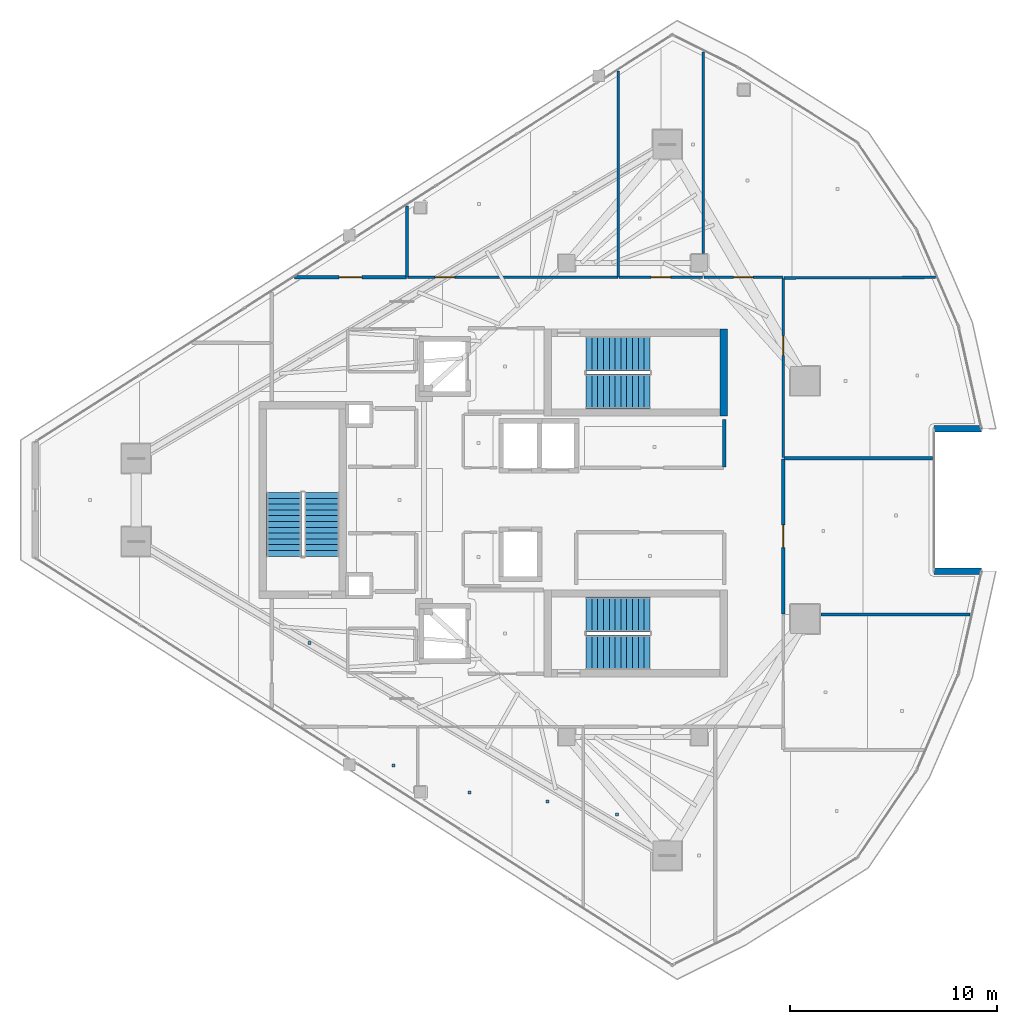
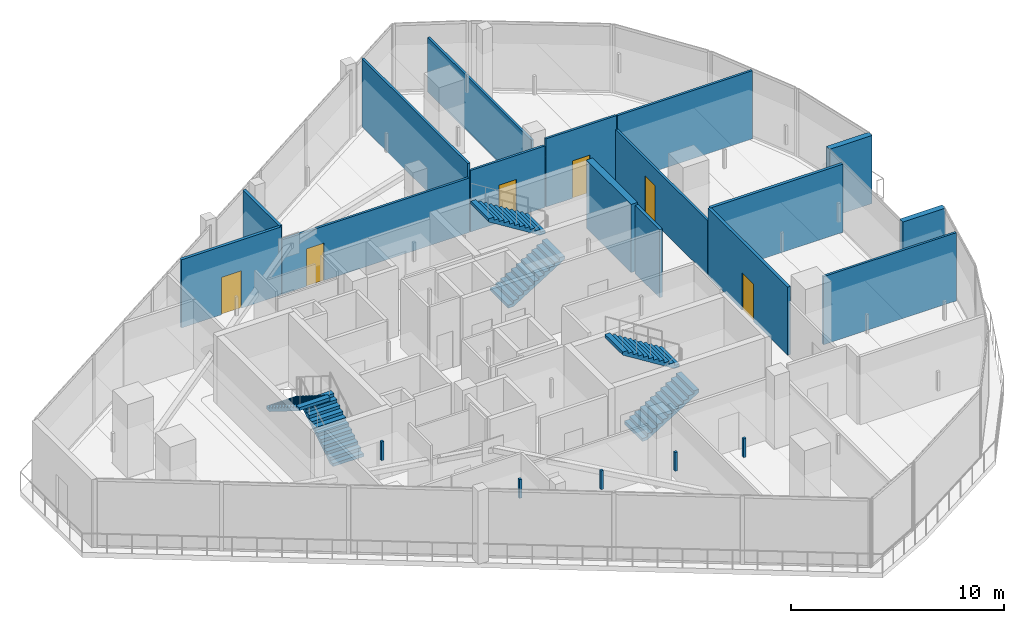
# One storey, part 23 of 30: 16 walls, 6 doors, 6 stair flights, 5 discrete accessories, 6 openings, 3 elements without a shape of their own.
"""IFC4 building model written with IfcOpenShell, lengths in metres."""

from ifc_helpers import new_model, si_unit, direction, frame, frame_2d, origin, origin_2d, place, context, subcontext, project, spatial, polyline, rectangle, outline, extrude, material, layer, layer_set, type_object, element, fill, aggregate, save


model = new_model("IFC4")

# Units and contexts
model_context = context("Model", 3, precision=1e-05, world=origin(), true_north=direction((0.0, 1.0)))
body_context = subcontext(model_context, "Body", "Model", "MODEL_VIEW")
ifc_project = project(units=[si_unit("LENGTHUNIT", "METRE"), si_unit("AREAUNIT", "SQUARE_METRE"), si_unit("VOLUMEUNIT", "CUBIC_METRE"), si_unit("PLANEANGLEUNIT", "RADIAN"), si_unit("MASSUNIT", "GRAM", prefix="KILO")], contexts=[model_context])

# Site, building, storey
site_placement = place(None, origin())
site = spatial("IfcSite", under=ifc_project, at=site_placement, CompositionType="ELEMENT")
building_placement = place(site_placement, origin())
building = spatial("IfcBuilding", under=site, at=building_placement, Name="Qorvath Tower", CompositionType="ELEMENT")
storey_placement = place(building_placement, frame((0.0, 0.0, 301.800048828125)))
storey = spatial("IfcBuildingStorey", under=building, at=storey_placement, Name="L70", CompositionType="ELEMENT", Elevation=301.800048828125)

# Wall
ifc_material_1 = material(Name="Double acoustic gypsum board on steel studs", Category="steel")
ifc_layer_1 = layer(ifc_material_1, 0.159912109375)
ifc_layer_set_1 = layer_set([ifc_layer_1], Name="IW-ACOUSTIC-160")
wall_type_1 = type_object("IfcWallType", Name="IW-ACOUSTIC-160", PredefinedType="PARTITIONING", material=ifc_layer_set_1)
wall_1_placement = place(storey_placement, frame((-16.0, 1.585205078125, 0.0), z_axis=(0.0, 0.0, 1.0), x_axis=(0.0, 1.0, 0.0)))
element("IfcWall", 1, at=wall_1_placement, inside=storey, type_object=wall_type_1, Name="Interior Partition IW-T1-L70-014", PredefinedType="PARTITIONING", context=body_context, shape_type="SweptSolid", body=[
    extrude(rectangle(XDim=2.30224609375, YDim=0.159912109375, at=frame_2d((1.151123046875, 0.0))), origin(), (0.0, 0.0, 1.0), 3.909912109375),
])

# Wall, opening, door
wall_2_placement = place(storey_placement, frame((-31.349609375, 10.758056640625, 0.0), z_axis=(0.0, 0.0, 1.0), x_axis=(-1.0, 0.0, 0.0)))
wall_2 = element("IfcWall", 2, at=wall_2_placement, inside=storey, type_object=wall_type_1, Name="Interior Partition IW-T1-L70-031", PredefinedType="PARTITIONING", context=body_context, shape_type="SweptSolid", body=[
    extrude(rectangle(XDim=5.41015625, YDim=0.159912109375, at=frame_2d((2.705078125, 0.0))), origin(), (0.0, 0.0, 1.0), 3.909912109375),
])
opening_1_placement = place(wall_2_placement, frame((2.155029296875, 0.0, 0.0)))
opening_1 = element("IfcOpeningElement", 3, at=opening_1_placement, cuts=wall_2, Name="Opening D-T1-L70-07", PredefinedType="OPENING", context=body_context, shape_type="SweptSolid", body=[
    extrude(rectangle(XDim=1.10009765625, YDim=2.14990234375, at=frame_2d((0.550048828125, 1.074951171875))), frame((0.0, 0.08984375, 0.0), z_axis=(0.0, -1.0, 0.0), x_axis=(1.0, 0.0, 0.0)), (0.0, 0.0, 1.0), 0.179931640625),
])
ifc_material_2 = material(Name="Anodised aluminium acoustic framed glass", Category="aluminium")
door_type_1 = type_object("IfcDoorType", Name="D-03", OperationType="NOTDEFINED", PredefinedType="DOOR", material=ifc_material_2)
door_1_placement = place(opening_1_placement, origin())
door_1 = element("IfcDoor", 4, at=door_1_placement, inside=storey, type_object=door_type_1, Name="L70-01 Enclosed Conference Suite Door D-T1-L70-07", OperationType="SINGLE_SWING_RIGHT", OverallHeight=2.14990234375, OverallWidth=1.10009765625, PredefinedType="DOOR", context=body_context, shape_type="SweptSolid", body=[
    extrude(rectangle(XDim=1.10009765625, YDim=2.14990234375, at=frame_2d((0.550048828125, 1.074951171875))), frame((0.0, 0.02490234375, 0.0), z_axis=(0.0, -1.0, 0.0), x_axis=(1.0, 0.0, 0.0)), (0.0, 0.0, 1.0), 0.050048828125),
])
fill(opening_1, door_1)

# Walls
wall_3_placement = place(storey_placement, frame((-31.324462890625, 10.783203125, 0.0), z_axis=(0.0, 0.0, 1.0), x_axis=(0.0, 1.0, 0.0)))
element("IfcWall", 5, at=wall_3_placement, inside=storey, type_object=wall_type_1, Name="Interior Partition IW-T1-L70-032", PredefinedType="PARTITIONING", context=body_context, shape_type="SweptSolid", body=[
    extrude(rectangle(XDim=3.419921875, YDim=0.159912109375, at=frame_2d((1.7099609375, 0.0))), origin(), (0.0, 0.0, 1.0), 3.909912109375),
])
wall_4_placement = place(storey_placement, frame((-5.940673828125, 2.010986328125, 0.0), z_axis=(0.0, 0.0, 1.0), x_axis=(-1.0, 0.0, 0.0)))
element("IfcWall", 6, at=wall_4_placement, inside=storey, type_object=wall_type_1, Name="Interior Partition IW-T1-L70-051", PredefinedType="PARTITIONING", context=body_context, shape_type="SweptSolid", body=[
    extrude(rectangle(XDim=7.176513671875, YDim=0.159912109375, at=frame_2d((3.58837890625, 0.0))), origin(), (0.0, 0.0, 1.0), 3.909912109375),
])

# Wall, opening, door
wall_5_placement = place(storey_placement, frame((-13.14208984375, 1.986083984375, 0.0), z_axis=(0.0, 0.0, 1.0), x_axis=(0.0, -1.0, 0.0)))
wall_5 = element("IfcWall", 7, at=wall_5_placement, inside=storey, type_object=wall_type_1, Name="Interior Partition IW-T1-L70-052", PredefinedType="PARTITIONING", context=body_context, shape_type="SweptSolid", body=[
    extrude(rectangle(XDim=7.48486328125, YDim=0.159912109375, at=frame_2d((3.742431640625, 0.0))), origin(), (0.0, 0.0, 1.0), 3.909912109375),
])
opening_2_placement = place(wall_5_placement, frame((3.1923828125, 0.0, 0.0)))
opening_2 = element("IfcOpeningElement", 8, at=opening_2_placement, cuts=wall_5, Name="Opening D-T1-L70-16", PredefinedType="OPENING", context=body_context, shape_type="SweptSolid", body=[
    extrude(rectangle(XDim=1.10009765625, YDim=2.14990234375, at=frame_2d((0.550048828125, 1.074951171875))), frame((0.0, 0.08984375, 0.0), z_axis=(0.0, -1.0, 0.0), x_axis=(1.0, 0.0, 0.0)), (0.0, 0.0, 1.0), 0.179931640625),
])
door_2_placement = place(opening_2_placement, origin())
door_2 = element("IfcDoor", 9, at=door_2_placement, inside=storey, type_object=door_type_1, Name="L70-10 Enclosed Conference Suite Door D-T1-L70-16", OperationType="SINGLE_SWING_LEFT", OverallHeight=2.14990234375, OverallWidth=1.10009765625, PredefinedType="DOOR", context=body_context, shape_type="SweptSolid", body=[
    extrude(rectangle(XDim=1.10009765625, YDim=2.14990234375, at=frame_2d((0.550048828125, 1.074951171875))), frame((0.0, 0.02490234375, 0.0), z_axis=(0.0, -1.0, 0.0), x_axis=(1.0, 0.0, 0.0)), (0.0, 0.0, 1.0), 0.050048828125),
])
fill(opening_2, door_2)

ifc_material_3 = material(Name="Gypsum board on metal studs with mineral wool", Category="gypsum")
ifc_layer_2 = layer(ifc_material_3, 0.125)
ifc_layer_set_2 = layer_set([ifc_layer_2], Name="IW-PART-125")
wall_type_2 = type_object("IfcWallType", Name="IW-PART-125", PredefinedType="PARTITIONING", material=ifc_layer_set_2)
wall_6_placement = place(storey_placement, frame((-31.29150390625, 10.758056640625, 0.0), z_axis=(0.0, 0.0, 1.0), x_axis=(1.0, 0.0, 0.0)))
wall_6 = element("IfcWall", 10, at=wall_6_placement, inside=storey, type_object=wall_type_2, Name="Interior Partition IW-T1-L70-034", PredefinedType="PARTITIONING", context=body_context, shape_type="SweptSolid", body=[
    extrude(rectangle(XDim=10.152587890625, YDim=0.125, at=frame_2d((5.076171875, 0.0))), origin(), (0.0, 0.0, 1.0), 3.1298828125),
])
opening_3_placement = place(wall_6_placement, frame((1.314697265625, 0.0, 0.0)))
opening_3 = element("IfcOpeningElement", 11, at=opening_3_placement, cuts=wall_6, Name="Opening D-T1-L70-08", PredefinedType="OPENING", context=body_context, shape_type="SweptSolid", body=[
    extrude(rectangle(XDim=0.949951171875, YDim=2.14990234375, at=frame_2d((0.47509765625, 1.074951171875))), frame((0.0, 0.072509765625, 0.0), z_axis=(0.0, -1.0, 0.0), x_axis=(1.0, 0.0, 0.0)), (0.0, 0.0, 1.0), 0.14501953125),
])
ifc_material_4 = material(Name="Solid-core American white oak veneer", Category="wood")
door_type_2 = type_object("IfcDoorType", Name="D-01", OperationType="NOTDEFINED", PredefinedType="DOOR", material=ifc_material_4)
door_3_placement = place(opening_3_placement, origin())
door_3 = element("IfcDoor", 12, at=door_3_placement, inside=storey, type_object=door_type_2, Name="L70-02 Focus Collaboration Pod Door D-T1-L70-08", OperationType="SINGLE_SWING_LEFT", OverallHeight=2.14990234375, OverallWidth=0.949951171875, PredefinedType="DOOR", context=body_context, shape_type="SweptSolid", body=[
    extrude(rectangle(XDim=0.949951171875, YDim=2.14990234375, at=frame_2d((0.47509765625, 1.074951171875))), frame((0.0, 0.02490234375, 0.0), z_axis=(0.0, -1.0, 0.0), x_axis=(1.0, 0.0, 0.0)), (0.0, 0.0, 1.0), 0.050048828125),
])
fill(opening_3, door_3)

# Wall
wall_7_placement = place(storey_placement, frame((-21.11376953125, 10.783203125, 0.0), z_axis=(0.0, 0.0, 1.0), x_axis=(-0.000319175039, 0.999999949064, 0.0)))
element("IfcWall", 13, at=wall_7_placement, inside=storey, type_object=wall_type_2, Name="Interior Partition IW-T1-L70-035", PredefinedType="PARTITIONING", context=body_context, shape_type="SweptSolid", body=[
    extrude(rectangle(XDim=9.94384765625, YDim=0.125, at=frame_2d((4.971923828125, 0.0))), origin(), (0.0, 0.0, 1.0), 3.909912109375),
])

# Wall, opening, door
wall_8_placement = place(storey_placement, frame((-21.080810546875, 10.758056640625, 0.0), z_axis=(0.0, 0.0, 1.0), x_axis=(1.0, 0.0, 0.0)))
wall_8 = element("IfcWall", 14, at=wall_8_placement, inside=storey, type_object=wall_type_2, Name="Interior Partition IW-T1-L70-036", PredefinedType="PARTITIONING", context=body_context, shape_type="SweptSolid", body=[
    extrude(rectangle(XDim=4.04296875, YDim=0.125, at=frame_2d((2.021484375, 0.0))), origin(), (0.0, 0.0, 1.0), 3.52880859375),
])
opening_4_placement = place(wall_8_placement, frame((1.54638671875, 0.0, 0.0)))
opening_4 = element("IfcOpeningElement", 15, at=opening_4_placement, cuts=wall_8, Name="Opening D-T1-L70-09", PredefinedType="OPENING", context=body_context, shape_type="SweptSolid", body=[
    extrude(rectangle(XDim=0.949951171875, YDim=2.14990234375, at=frame_2d((0.47509765625, 1.074951171875))), frame((0.0, 0.072509765625, 0.0), z_axis=(0.0, -1.0, 0.0), x_axis=(1.0, 0.0, 0.0)), (0.0, 0.0, 1.0), 0.14501953125),
])
door_4_placement = place(opening_4_placement, origin())
door_4 = element("IfcDoor", 16, at=door_4_placement, inside=storey, type_object=door_type_2, Name="L70-03 Project Collaboration Workspace Door D-T1-L70-09", OperationType="SINGLE_SWING_RIGHT", OverallHeight=2.14990234375, OverallWidth=0.949951171875, PredefinedType="DOOR", context=body_context, shape_type="SweptSolid", body=[
    extrude(rectangle(XDim=0.949951171875, YDim=2.14990234375, at=frame_2d((0.47509765625, 1.074951171875))), frame((0.0, 0.02490234375, 0.0), z_axis=(0.0, -1.0, 0.0), x_axis=(1.0, 0.0, 0.0)), (0.0, 0.0, 1.0), 0.050048828125),
])
fill(opening_4, door_4)

# Wall
wall_9_placement = place(storey_placement, frame((-17.012939453125, 11.9150390625, 0.0), z_axis=(0.0, 0.0, 1.0), x_axis=(0.0, 1.0, 0.0)))
element("IfcWall", 17, at=wall_9_placement, inside=storey, type_object=wall_type_2, Name="Interior Partition IW-T1-L70-037", PredefinedType="PARTITIONING", context=body_context, shape_type="SweptSolid", body=[
    extrude(rectangle(XDim=9.731201171875, YDim=0.125, at=frame_2d((4.86572265625, 0.0))), origin(), (0.0, 0.0, 1.0), 3.1298828125),
])

# Wall, opening, door
wall_10_placement = place(storey_placement, frame((-16.97998046875, 10.758056640625, 0.0), z_axis=(0.0, 0.0, 1.0), x_axis=(1.0, 0.0, 0.0)))
wall_10 = element("IfcWall", 18, at=wall_10_placement, inside=storey, type_object=wall_type_2, Name="Interior Partition IW-T1-L70-038", PredefinedType="PARTITIONING", context=body_context, shape_type="SweptSolid", body=[
    extrude(rectangle(XDim=3.81298828125, YDim=0.125, at=frame_2d((1.906494140625, 0.0))), origin(), (0.0, 0.0, 1.0), 3.909912109375),
])
opening_5_placement = place(wall_10_placement, frame((1.431396484375, 0.0, 0.0)))
opening_5 = element("IfcOpeningElement", 19, at=opening_5_placement, cuts=wall_10, Name="Opening D-T1-L70-10", PredefinedType="OPENING", context=body_context, shape_type="SweptSolid", body=[
    extrude(rectangle(XDim=0.949951171875, YDim=2.14990234375, at=frame_2d((0.47509765625, 1.074951171875))), frame((0.0, 0.072509765625, 0.0), z_axis=(0.0, -1.0, 0.0), x_axis=(1.0, 0.0, 0.0)), (0.0, 0.0, 1.0), 0.14501953125),
])
door_5_placement = place(opening_5_placement, origin())
door_5 = element("IfcDoor", 20, at=door_5_placement, inside=storey, type_object=door_type_2, Name="L70-04 Staff Wellness Studio Door D-T1-L70-10", OperationType="SINGLE_SWING_LEFT", OverallHeight=2.14990234375, OverallWidth=0.949951171875, PredefinedType="DOOR", context=body_context, shape_type="SweptSolid", body=[
    extrude(rectangle(XDim=0.949951171875, YDim=2.14990234375, at=frame_2d((0.47509765625, 1.074951171875))), frame((0.0, 0.02490234375, 0.0), z_axis=(0.0, -1.0, 0.0), x_axis=(1.0, 0.0, 0.0)), (0.0, 0.0, 1.0), 0.050048828125),
])
fill(opening_5, door_5)

# Walls
wall_11_placement = place(storey_placement, frame((-13.1171875, 10.723876953125, 0.0), z_axis=(0.0, 0.0, 1.0), x_axis=(0.99999241684, 0.003894388469, 0.0)))
element("IfcWall", 21, at=wall_11_placement, inside=storey, type_object=wall_type_2, Name="Interior Partition IW-T1-L70-039", PredefinedType="PARTITIONING", context=body_context, shape_type="SweptSolid", body=[
    extrude(rectangle(XDim=7.334716796875, YDim=0.125, at=frame_2d((3.66748046875, 0.0))), origin(), (0.0, 0.0, 1.0), 3.909912109375),
])
wall_12_placement = place(storey_placement, frame((-4.117919921875, -5.531982421875, 0.0), z_axis=(0.0, 0.0, 1.0), x_axis=(-1.0, 0.0, 0.0)))
element("IfcWall", 22, at=wall_12_placement, inside=storey, type_object=wall_type_2, Name="Interior Partition IW-T1-L70-049", PredefinedType="PARTITIONING", context=body_context, shape_type="SweptSolid", body=[
    extrude(rectangle(XDim=7.2138671875, YDim=0.125, at=frame_2d((3.60693359375, 0.0))), origin(), (0.0, 0.0, 1.0), 3.909912109375),
])

# Wall, opening, door
wall_13_placement = place(storey_placement, frame((-13.14208984375, 10.69091796875, 0.0), z_axis=(0.0, 0.0, 1.0), x_axis=(0.0, -1.0, 0.0)))
wall_13 = element("IfcWall", 23, at=wall_13_placement, inside=storey, type_object=wall_type_2, Name="Interior Partition IW-T1-L70-053", PredefinedType="PARTITIONING", context=body_context, shape_type="SweptSolid", body=[
    extrude(rectangle(XDim=8.647216796875, YDim=0.125, at=frame_2d((4.32373046875, 0.0))), origin(), (0.0, 0.0, 1.0), 3.1298828125),
])
opening_6_placement = place(wall_13_placement, frame((2.7490234375, 0.0, 0.0)))
opening_6 = element("IfcOpeningElement", 24, at=opening_6_placement, cuts=wall_13, Name="Opening D-T1-L70-17", PredefinedType="OPENING", context=body_context, shape_type="SweptSolid", body=[
    extrude(rectangle(XDim=0.949951171875, YDim=2.14990234375, at=frame_2d((0.47509765625, 1.074951171875))), frame((0.0, 0.072509765625, 0.0), z_axis=(0.0, -1.0, 0.0), x_axis=(1.0, 0.0, 0.0)), (0.0, 0.0, 1.0), 0.14501953125),
])
door_6_placement = place(opening_6_placement, origin())
door_6 = element("IfcDoor", 25, at=door_6_placement, inside=storey, type_object=door_type_2, Name="L70-11 Focus Collaboration Pod Door D-T1-L70-17", OperationType="SINGLE_SWING_RIGHT", OverallHeight=2.14990234375, OverallWidth=0.949951171875, PredefinedType="DOOR", context=body_context, shape_type="SweptSolid", body=[
    extrude(rectangle(XDim=0.949951171875, YDim=2.14990234375, at=frame_2d((0.47509765625, 1.074951171875))), frame((0.0, 0.02490234375, 0.0), z_axis=(0.0, -1.0, 0.0), x_axis=(1.0, 0.0, 0.0)), (0.0, 0.0, 1.0), 0.050048828125),
])
fill(opening_6, door_6)

# Walls
ifc_material_5 = material(Name="Concrete C60/75", Category="concrete")
ifc_layer_3 = layer(ifc_material_5, 0.35009765625)
ifc_layer_set_3 = layer_set([ifc_layer_3], Name="SW-STAIR")
wall_type_3 = type_object("IfcWallType", Name="SW-STAIR", PredefinedType="SHEAR", material=ifc_layer_set_3)
wall_14_placement = place(storey_placement, frame((-16.02490234375, 4.050048828125, 0.0), z_axis=(0.0, 0.0, 1.0), x_axis=(0.0, 1.0, 0.0)))
element("IfcWall", 26, at=wall_14_placement, inside=storey, type_object=wall_type_3, Name="Stair TS1 Shear Wall L70 FAR", PredefinedType="SHEAR", context=body_context, shape_type="SweptSolid", body=[
    extrude(rectangle(XDim=4.2099609375, YDim=0.35009765625, at=frame_2d((2.10498046875, 0.0))), origin(), (0.0, 0.0, 1.0), 3.909912109375),
])
ifc_material_6 = material(Name="Precast concrete C45/55", Category="concrete")
ifc_layer_4 = layer(ifc_material_6, 0.300048828125)
ifc_layer_set_4 = layer_set([ifc_layer_4], Name="WL-EW-LOG-300")
wall_type_4 = type_object("IfcWallType", Name="WL-EW-LOG-300", PredefinedType="SOLIDWALL", material=ifc_layer_set_4)
for number, where, z_axis, x_axis, name in (
    (27, (-3.5673828125, -3.439697265625, 0.0), (0.0, 0.0, 1.0), (-1.0, 0.0, 0.0), "Tower Precast Loggia Wall L70-8.1"),
    (28, (-5.860595703125, 3.439697265625, 0.0), (0.0, 0.0, 1.0), (1.0, 0.0, 0.0), "Tower Precast Loggia Wall L70-10.1"),
):
    element("IfcWall", number, at=place(storey_placement, frame(where, z_axis=z_axis, x_axis=x_axis)), inside=storey, type_object=wall_type_4, Name=name, PredefinedType="SOLIDWALL", context=body_context, shape_type="SweptSolid", body=[
        extrude(rectangle(XDim=2.293212890625, YDim=0.300048828125, at=frame_2d((1.146484375, 0.0))), origin(), (0.0, 0.0, 1.0), 3.909912109375),
    ])

# Stair, stair flights
ifc_material_7 = material(Name="Concrete C50/60", Category="concrete")
stair_type = type_object("IfcStairType", Name="ST-H420", PredefinedType="HALF_TURN_STAIR", material=ifc_material_7)
stair_1_placement = place(storey_placement, origin())
stair_1 = element("IfcStair", 29, at=stair_1_placement, inside=storey, type_object=stair_type, Name="L70 Tower Exit Stair 1", PredefinedType="HALF_TURN_STAIR")
ifc_material_8 = material(Name="Concrete C50/60", Category="concrete")
ifc_layer_5 = layer(ifc_material_8, 0.14990234375)
ifc_layer_set_5 = layer_set([ifc_layer_5], Name="SF-H420")
stair_flight_type = type_object("IfcStairFlightType", Name="SF-H420", PredefinedType="STRAIGHT", material=ifc_layer_set_5)
stair_flight_1_placement = place(storey_placement, frame((-22.669921875, 5.239990234375, 0.0), z_axis=(0.0, 0.0, 1.0), x_axis=(1.0, 0.0, 0.0)))
stair_flight_1 = element("IfcStairFlight", 30, at=stair_flight_1_placement, type_object=stair_flight_type, Name="TS1 flight 1", NumberOfRisers=12, NumberOfTreads=11, PredefinedType="STRAIGHT", RiserHeight=0.175, TreadLength=0.28, context=body_context, shape_type="SweptSolid", body=[
    extrude(outline(polyline([(0.0, 0.0), (0.0, 0.175048828125), (0.280029296875, 0.175048828125), (0.280029296875, 0.35009765625), (0.56005859375, 0.35009765625), (0.56005859375, 0.52490234375), (0.840087890625, 0.52490234375), (0.840087890625, 0.699951171875), (1.1201171875, 0.699951171875), (1.1201171875, 0.875), (1.39990234375, 0.875), (1.39990234375, 1.050048828125), (1.679931640625, 1.050048828125), (1.679931640625, 1.22509765625), (1.9599609375, 1.22509765625), (1.9599609375, 1.39990234375), (2.239990234375, 1.39990234375), (2.239990234375, 1.574951171875), (2.52001953125, 1.574951171875), (2.52001953125, 1.75), (2.800048828125, 1.75), (2.800048828125, 1.925048828125), (3.080078125, 1.925048828125), (3.080078125, 2.10009765625), (3.080078125, 1.748291015625), (0.28271484375, 0.0), (0.0, 0.0)])), frame((0.0, 0.83984375, 0.0), z_axis=(0.0, -1.0, 0.0), x_axis=(1.0, 0.0, 0.0)), (0.0, 0.0, 1.0), 1.679931640625),
])
stair_flight_2_placement = place(storey_placement, frame((-19.590087890625, 7.070068359375, 2.099853515625), z_axis=(0.0, 0.0, 1.0), x_axis=(-1.0, 0.0, 0.0)))
stair_flight_2 = element("IfcStairFlight", 31, at=stair_flight_2_placement, type_object=stair_flight_type, Name="TS1 flight 2", NumberOfRisers=12, NumberOfTreads=11, PredefinedType="STRAIGHT", RiserHeight=0.175, TreadLength=0.28, context=body_context, shape_type="SweptSolid", body=[
    extrude(outline(polyline([(0.0, 0.0), (0.0, 0.175048828125), (0.280029296875, 0.175048828125), (0.280029296875, 0.35009765625), (0.56005859375, 0.35009765625), (0.56005859375, 0.52490234375), (0.840087890625, 0.52490234375), (0.840087890625, 0.699951171875), (1.1201171875, 0.699951171875), (1.1201171875, 0.875), (1.39990234375, 0.875), (1.39990234375, 1.050048828125), (1.679931640625, 1.050048828125), (1.679931640625, 1.22509765625), (1.9599609375, 1.22509765625), (1.9599609375, 1.39990234375), (2.239990234375, 1.39990234375), (2.239990234375, 1.574951171875), (2.52001953125, 1.574951171875), (2.52001953125, 1.75), (2.800048828125, 1.75), (2.800048828125, 1.925048828125), (3.080078125, 1.925048828125), (3.080078125, 2.10009765625), (3.080078125, 1.748291015625), (0.28271484375, 0.0), (0.0, 0.0)])), frame((0.0, 0.83984375, 0.0), z_axis=(0.0, -1.0, 0.0), x_axis=(1.0, 0.0, 0.0)), (0.0, 0.0, 1.0), 1.679931640625),
])
aggregate(stair_1, [stair_flight_1, stair_flight_2])

stair_2_placement = place(storey_placement, origin())
stair_2 = element("IfcStair", 32, at=stair_2_placement, inside=storey, type_object=stair_type, Name="L70 Tower Exit Stair 2", PredefinedType="HALF_TURN_STAIR")
stair_flight_3_placement = place(storey_placement, frame((-22.669921875, -7.360107421875, 0.0), z_axis=(0.0, 0.0, 1.0), x_axis=(1.0, 0.0, 0.0)))
stair_flight_3 = element("IfcStairFlight", 33, at=stair_flight_3_placement, type_object=stair_flight_type, Name="TS2 flight 1", NumberOfRisers=12, NumberOfTreads=11, PredefinedType="STRAIGHT", RiserHeight=0.175, TreadLength=0.28, context=body_context, shape_type="SweptSolid", body=[
    extrude(outline(polyline([(0.0, 0.0), (0.0, 0.175048828125), (0.280029296875, 0.175048828125), (0.280029296875, 0.35009765625), (0.56005859375, 0.35009765625), (0.56005859375, 0.52490234375), (0.840087890625, 0.52490234375), (0.840087890625, 0.699951171875), (1.1201171875, 0.699951171875), (1.1201171875, 0.875), (1.39990234375, 0.875), (1.39990234375, 1.050048828125), (1.679931640625, 1.050048828125), (1.679931640625, 1.22509765625), (1.9599609375, 1.22509765625), (1.9599609375, 1.39990234375), (2.239990234375, 1.39990234375), (2.239990234375, 1.574951171875), (2.52001953125, 1.574951171875), (2.52001953125, 1.75), (2.800048828125, 1.75), (2.800048828125, 1.925048828125), (3.080078125, 1.925048828125), (3.080078125, 2.10009765625), (3.080078125, 1.748291015625), (0.28271484375, 0.0), (0.0, 0.0)])), frame((0.0, 0.83984375, 0.0), z_axis=(0.0, -1.0, 0.0), x_axis=(1.0, 0.0, 0.0)), (0.0, 0.0, 1.0), 1.679931640625),
])
stair_flight_4_placement = place(storey_placement, frame((-19.590087890625, -5.530029296875, 2.099853515625), z_axis=(0.0, 0.0, 1.0), x_axis=(-1.0, 0.0, 0.0)))
stair_flight_4 = element("IfcStairFlight", 34, at=stair_flight_4_placement, type_object=stair_flight_type, Name="TS2 flight 2", NumberOfRisers=12, NumberOfTreads=11, PredefinedType="STRAIGHT", RiserHeight=0.175, TreadLength=0.28, context=body_context, shape_type="SweptSolid", body=[
    extrude(outline(polyline([(0.0, 0.0), (0.0, 0.175048828125), (0.280029296875, 0.175048828125), (0.280029296875, 0.35009765625), (0.56005859375, 0.35009765625), (0.56005859375, 0.52490234375), (0.840087890625, 0.52490234375), (0.840087890625, 0.699951171875), (1.1201171875, 0.699951171875), (1.1201171875, 0.875), (1.39990234375, 0.875), (1.39990234375, 1.050048828125), (1.679931640625, 1.050048828125), (1.679931640625, 1.22509765625), (1.9599609375, 1.22509765625), (1.9599609375, 1.39990234375), (2.239990234375, 1.39990234375), (2.239990234375, 1.574951171875), (2.52001953125, 1.574951171875), (2.52001953125, 1.75), (2.800048828125, 1.75), (2.800048828125, 1.925048828125), (3.080078125, 1.925048828125), (3.080078125, 2.10009765625), (3.080078125, 1.748291015625), (0.28271484375, 0.0), (0.0, 0.0)])), frame((0.0, 0.83984375, 0.0), z_axis=(0.0, -1.0, 0.0), x_axis=(1.0, 0.0, 0.0)), (0.0, 0.0, 1.0), 1.679931640625),
])
aggregate(stair_2, [stair_flight_3, stair_flight_4])

stair_3_placement = place(storey_placement, origin())
stair_3 = element("IfcStair", 35, at=stair_3_placement, inside=storey, type_object=stair_type, Name="L70 Tower Exit Stair 3", PredefinedType="HALF_TURN_STAIR")
stair_flight_5_placement = place(storey_placement, frame((-35.43994140625, -2.719970703125, 0.0), z_axis=(0.0, 0.0, 1.0), x_axis=(0.0, 1.0, 0.0)))
stair_flight_5 = element("IfcStairFlight", 36, at=stair_flight_5_placement, type_object=stair_flight_type, Name="TS3 flight 1", NumberOfRisers=12, NumberOfTreads=11, PredefinedType="STRAIGHT", RiserHeight=0.175, TreadLength=0.28, context=body_context, shape_type="SweptSolid", body=[
    extrude(outline(polyline([(0.0, 0.0), (0.0, 0.175048828125), (0.280029296875, 0.175048828125), (0.280029296875, 0.35009765625), (0.56005859375, 0.35009765625), (0.56005859375, 0.52490234375), (0.840087890625, 0.52490234375), (0.840087890625, 0.699951171875), (1.1201171875, 0.699951171875), (1.1201171875, 0.875), (1.39990234375, 0.875), (1.39990234375, 1.050048828125), (1.679931640625, 1.050048828125), (1.679931640625, 1.22509765625), (1.9599609375, 1.22509765625), (1.9599609375, 1.39990234375), (2.239990234375, 1.39990234375), (2.239990234375, 1.574951171875), (2.52001953125, 1.574951171875), (2.52001953125, 1.75), (2.800048828125, 1.75), (2.800048828125, 1.925048828125), (3.080078125, 1.925048828125), (3.080078125, 2.10009765625), (3.080078125, 1.748291015625), (0.28271484375, 0.0), (0.0, 0.0)])), frame((0.0, 0.83984375, 0.0), z_axis=(0.0, -1.0, 0.0), x_axis=(1.0, 0.0, 0.0)), (0.0, 0.0, 1.0), 1.679931640625),
])
stair_flight_6_placement = place(storey_placement, frame((-37.27001953125, 0.360107421875, 2.099853515625), z_axis=(0.0, 0.0, 1.0), x_axis=(0.0, -1.0, 0.0)))
stair_flight_6 = element("IfcStairFlight", 37, at=stair_flight_6_placement, type_object=stair_flight_type, Name="TS3 flight 2", NumberOfRisers=12, NumberOfTreads=11, PredefinedType="STRAIGHT", RiserHeight=0.175, TreadLength=0.28, context=body_context, shape_type="SweptSolid", body=[
    extrude(outline(polyline([(0.0, 0.0), (0.0, 0.175048828125), (0.280029296875, 0.175048828125), (0.280029296875, 0.35009765625), (0.56005859375, 0.35009765625), (0.56005859375, 0.52490234375), (0.840087890625, 0.52490234375), (0.840087890625, 0.699951171875), (1.1201171875, 0.699951171875), (1.1201171875, 0.875), (1.39990234375, 0.875), (1.39990234375, 1.050048828125), (1.679931640625, 1.050048828125), (1.679931640625, 1.22509765625), (1.9599609375, 1.22509765625), (1.9599609375, 1.39990234375), (2.239990234375, 1.39990234375), (2.239990234375, 1.574951171875), (2.52001953125, 1.574951171875), (2.52001953125, 1.75), (2.800048828125, 1.75), (2.800048828125, 1.925048828125), (3.080078125, 1.925048828125), (3.080078125, 2.10009765625), (3.080078125, 1.748291015625), (0.28271484375, 0.0), (0.0, 0.0)])), frame((0.0, 0.83984375, 0.0), z_axis=(0.0, -1.0, 0.0), x_axis=(1.0, 0.0, 0.0)), (0.0, 0.0, 1.0), 1.679931640625),
])
aggregate(stair_3, [stair_flight_5, stair_flight_6])

# Discrete accessories
ifc_material_9 = material(Name="Galvanised steel bracket", Category="steel")
discrete_accessory_type = type_object("IfcDiscreteAccessoryType", Name="DA-BRACKET", PredefinedType="BRACKET", material=ifc_material_9)
for number, where, z_axis, x_axis, name in (
    (38, (-36.04150390625, -6.908447265625, 2.85986328125), (0.0, 0.0, 1.0), (1.0, 0.0, 0.0), "Acoustic Ceiling Suspension Hanger T1-L70-011"),
    (39, (-31.97412109375, -12.82373046875, 2.85986328125), (0.0, 0.0, 1.0), (1.0, 0.0, 0.0), "Acoustic Ceiling Suspension Hanger T1-L70-021"),
    (40, (-28.294677734375, -14.124267578125, 2.85986328125), (0.0, 0.0, 1.0), (1.0, 0.0, 0.0), "Acoustic Ceiling Suspension Hanger T1-L70-022"),
    (41, (-24.529052734375, -14.55712890625, 2.85986328125), (0.0, 0.0, 1.0), (1.0, 0.0, 0.0), "Acoustic Ceiling Suspension Hanger T1-L70-023"),
    (42, (-21.1767578125, -15.19482421875, 2.85986328125), (0.0, 0.0, 1.0), (1.0, 0.0, 0.0), "Acoustic Ceiling Suspension Hanger T1-L70-024"),
):
    element("IfcDiscreteAccessory", number, at=place(storey_placement, frame(where, z_axis=z_axis, x_axis=x_axis)), inside=storey, type_object=discrete_accessory_type, Name=name, PredefinedType="NOTDEFINED", context=body_context, shape_type="SweptSolid", body=[
        extrude(rectangle(XDim=0.139892578125, YDim=0.139892578125, at=origin_2d()), origin(), (0.0, 0.0, 1.0), 1.080078125),
    ])

save(model, "model.ifc")
